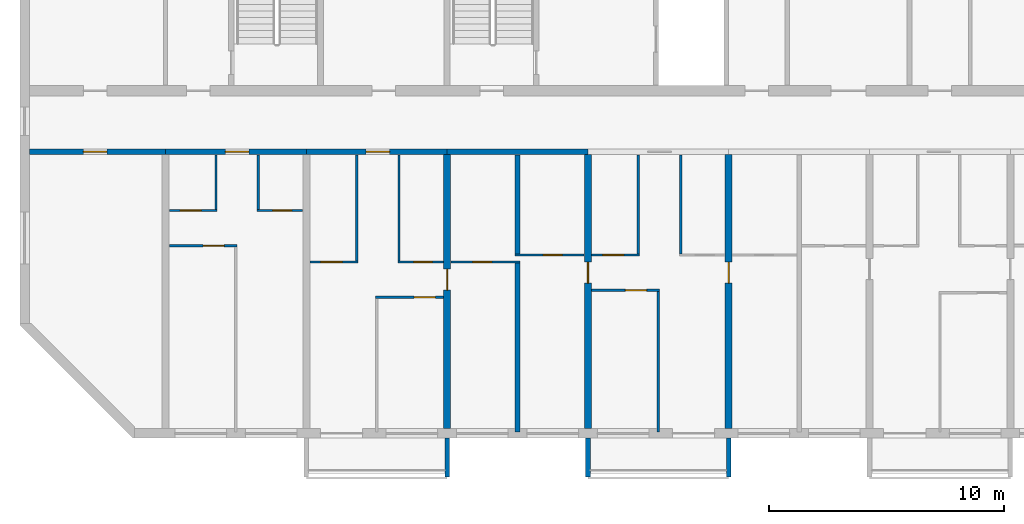
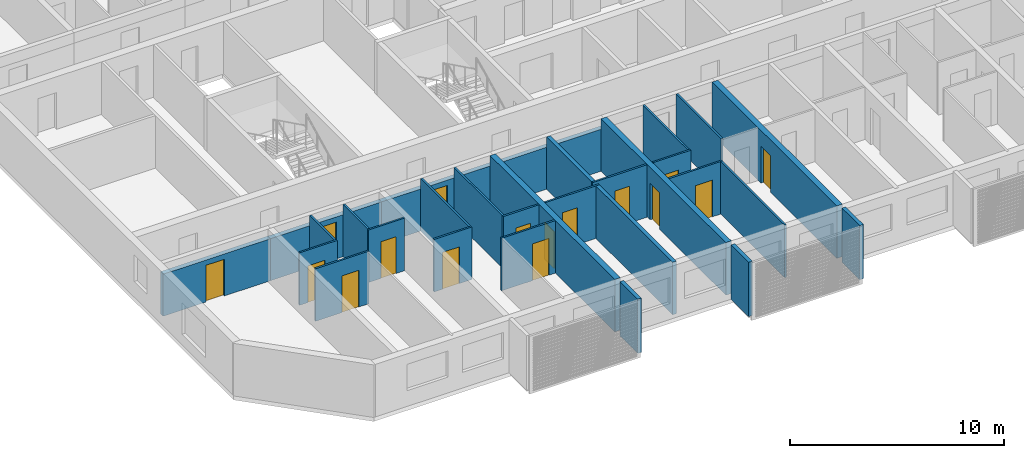
# One storey, part 2 of 32: 29 walls, 16 doors, 16 openings.
"""IFC4 building model written with IfcOpenShell, lengths in metres."""

from ifc_helpers import new_model, si_unit, direction, frame, frame_2d, origin, place, context, subcontext, project, spatial, polyline, rectangle, outline, extrude, source, transform, mapped, material, layer, layer_set, type_object, element, fill, save


model = new_model("IFC4")

# Units and contexts
model_context = context("Model", 3, precision=1e-05, world=origin(), true_north=direction((0.0, 1.0)))
body_context = subcontext(model_context, "Body", "Model", "MODEL_VIEW")
ifc_project = project(units=[si_unit("LENGTHUNIT", "METRE"), si_unit("AREAUNIT", "SQUARE_METRE"), si_unit("VOLUMEUNIT", "CUBIC_METRE"), si_unit("PLANEANGLEUNIT", "RADIAN"), si_unit("MASSUNIT", "GRAM", prefix="KILO")], contexts=[model_context])

# Site, building, storey
site_placement = place(None, origin())
site = spatial("IfcSite", under=ifc_project, at=site_placement, CompositionType="ELEMENT")
building_placement = place(site_placement, origin())
building = spatial("IfcBuilding", under=site, at=building_placement, Name="Poui Terraces", CompositionType="ELEMENT")
storey_placement = place(building_placement, frame((0.0, 0.0, 155.39990234375)))
storey = spatial("IfcBuildingStorey", under=building, at=storey_placement, Name="L43", CompositionType="ELEMENT", Elevation=155.39990234375)

# Wall, opening, door
ifc_material_1 = material(Name="Concrete 65 MPa", Category="concrete")
ifc_layer_1 = layer(ifc_material_1, 0.25)
ifc_layer_set_1 = layer_set([ifc_layer_1], Name="Concrete 65 MPa")
wall_type_1 = type_object("IfcWallType", Name="CORRIDOR WALL 250 65MPa", PredefinedType="SHEAR", material=ifc_layer_set_1)
wall_1_placement = place(storey_placement, frame((12.199951171875, 12.0, 0.0), z_axis=(0.0, 0.0, 1.0), x_axis=(1.0, 0.0, 0.0)))
wall_1 = element("IfcWall", 1, at=wall_1_placement, inside=storey, type_object=wall_type_1, Name="CORRIDOR WALL LINE B BAY 1", PredefinedType="SHEAR", context=body_context, shape_type="SweptSolid", body=[
    extrude(rectangle(XDim=5.800048828125, YDim=0.25, at=frame_2d((2.89990234375, 0.0))), origin(), (0.0, 0.0, 1.0), 2.400146484375),
])
opening_1_placement = place(wall_1_placement, frame((2.300048828125, 0.0, 0.0)))
opening_1 = element("IfcOpeningElement", 2, at=opening_1_placement, cuts=wall_1, Name="Opening D100", PredefinedType="OPENING", context=body_context, shape_type="SweptSolid", body=[
    extrude(rectangle(XDim=1.0, YDim=2.10009765625, at=frame_2d((0.5, 1.050048828125))), frame((0.0, 0.135009765625, 0.0), z_axis=(0.0, -1.0, 0.0), x_axis=(1.0, 0.0, 0.0)), (0.0, 0.0, 1.0), 0.27001953125),
])
ifc_material_2 = material(Name="Solid core timber door", Category="wood")
door_type_1 = type_object("IfcDoorType", Name="ACCESSIBLE INTERNAL DOOR 1000 X 2100", OperationType="NOTDEFINED", PredefinedType="DOOR", material=ifc_material_2)
door_1_placement = place(opening_1_placement, frame((1.0, 0.0, 0.0), z_axis=(0.0, 0.0, 1.0), x_axis=(-1.0, 0.0, 0.0)))
door_1 = element("IfcDoor", 3, at=door_1_placement, inside=storey, type_object=door_type_1, Name="ACCESSIBLE INTERNAL DOOR 074", OperationType="SINGLE_SWING_RIGHT", OverallHeight=2.10009765625, OverallWidth=1.0, PredefinedType="DOOR", context=body_context, shape_type="SweptSolid", body=[
    extrude(rectangle(XDim=1.0, YDim=2.10009765625, at=frame_2d((0.5, 1.050048828125))), frame((0.0, 0.02490234375, 0.0), z_axis=(0.0, -1.0, 0.0), x_axis=(1.0, 0.0, 0.0)), (0.0, 0.0, 1.0), 0.050048828125),
])
fill(opening_1, door_1)

wall_2_placement = place(storey_placement, frame((18.0, 12.0, 0.0), z_axis=(0.0, 0.0, 1.0), x_axis=(1.0, 0.0, 0.0)))
wall_2 = element("IfcWall", 4, at=wall_2_placement, inside=storey, type_object=wall_type_1, Name="CORRIDOR WALL LINE B BAY 2", PredefinedType="SHEAR", context=body_context, shape_type="SweptSolid", body=[
    extrude(rectangle(XDim=6.0, YDim=0.25, at=frame_2d((3.0, 0.0))), origin(), (0.0, 0.0, 1.0), 2.400146484375),
])
opening_2_placement = place(wall_2_placement, frame((2.550048828125, 0.0, 0.0)))
opening_2 = element("IfcOpeningElement", 5, at=opening_2_placement, cuts=wall_2, Name="Opening FD30S", PredefinedType="OPENING", context=body_context, shape_type="SweptSolid", body=[
    extrude(rectangle(XDim=1.0, YDim=2.10009765625, at=frame_2d((0.5, 1.050048828125))), frame((0.0, 0.135009765625, 0.0), z_axis=(0.0, -1.0, 0.0), x_axis=(1.0, 0.0, 0.0)), (0.0, 0.0, 1.0), 0.27001953125),
])
ifc_material_3 = material(Name="Steel fire door", Category="steel")
door_type_2 = type_object("IfcDoorType", Name="FLAT ENTRANCE DOOR 1000 X 2100", OperationType="NOTDEFINED", PredefinedType="DOOR", material=ifc_material_3)
door_2_placement = place(opening_2_placement, frame((1.0, 0.0, 0.0), z_axis=(0.0, 0.0, 1.0), x_axis=(-1.0, 0.0, 0.0)))
door_2 = element("IfcDoor", 6, at=door_2_placement, inside=storey, type_object=door_type_2, Name="FLAT ENTRANCE DOOR 077", OperationType="SINGLE_SWING_LEFT", OverallHeight=2.10009765625, OverallWidth=1.0, PredefinedType="DOOR", context=body_context, shape_type="SweptSolid", body=[
    extrude(rectangle(XDim=1.0, YDim=2.10009765625, at=frame_2d((0.5, 1.050048828125))), frame((0.0, 0.02490234375, 0.0), z_axis=(0.0, -1.0, 0.0), x_axis=(1.0, 0.0, 0.0)), (0.0, 0.0, 1.0), 0.050048828125),
])
fill(opening_2, door_2)

wall_3_placement = place(storey_placement, frame((24.0, 12.0, 0.0), z_axis=(0.0, 0.0, 1.0), x_axis=(1.0, 0.0, 0.0)))
wall_3 = element("IfcWall", 7, at=wall_3_placement, inside=storey, type_object=wall_type_1, Name="CORRIDOR WALL LINE B BAY 3", PredefinedType="SHEAR", context=body_context, shape_type="SweptSolid", body=[
    extrude(rectangle(XDim=6.0, YDim=0.25, at=frame_2d((3.0, 0.0))), origin(), (0.0, 0.0, 1.0), 2.400146484375),
])
opening_3_placement = place(wall_3_placement, frame((2.550048828125, 0.0, 0.0)))
opening_3 = element("IfcOpeningElement", 8, at=opening_3_placement, cuts=wall_3, Name="Opening FD30S", PredefinedType="OPENING", context=body_context, shape_type="SweptSolid", body=[
    extrude(rectangle(XDim=1.0, YDim=2.10009765625, at=frame_2d((0.5, 1.050048828125))), frame((0.0, 0.135009765625, 0.0), z_axis=(0.0, -1.0, 0.0), x_axis=(1.0, 0.0, 0.0)), (0.0, 0.0, 1.0), 0.27001953125),
])
door_3_placement = place(opening_3_placement, frame((1.0, 0.0, 0.0), z_axis=(0.0, 0.0, 1.0), x_axis=(-1.0, 0.0, 0.0)))
door_3 = element("IfcDoor", 9, at=door_3_placement, inside=storey, type_object=door_type_2, Name="FLAT ENTRANCE DOOR 081", OperationType="SINGLE_SWING_LEFT", OverallHeight=2.10009765625, OverallWidth=1.0, PredefinedType="DOOR", context=body_context, shape_type="SweptSolid", body=[
    extrude(rectangle(XDim=1.0, YDim=2.10009765625, at=frame_2d((0.5, 1.050048828125))), frame((0.0, 0.02490234375, 0.0), z_axis=(0.0, -1.0, 0.0), x_axis=(1.0, 0.0, 0.0)), (0.0, 0.0, 1.0), 0.050048828125),
])
fill(opening_3, door_3)

# Wall
wall_4_placement = place(storey_placement, frame((30.0, 12.0, 0.0), z_axis=(0.0, 0.0, 1.0), x_axis=(1.0, 0.0, 0.0)))
element("IfcWall", 10, at=wall_4_placement, inside=storey, type_object=wall_type_1, Name="CORRIDOR WALL LINE B BAY 4", PredefinedType="SHEAR", context=body_context, shape_type="SweptSolid", body=[
    extrude(rectangle(XDim=6.0, YDim=0.25, at=frame_2d((3.0, 0.0))), origin(), (0.0, 0.0, 1.0), 2.400146484375),
])

# Wall, opening, door
ifc_layer_2 = layer(ifc_material_1, 0.300048828125)
ifc_layer_set_2 = layer_set([ifc_layer_2], Name="Concrete 65 MPa")
wall_type_2 = type_object("IfcWallType", Name="CROSS WALL 300 65MPa", PredefinedType="SHEAR", material=ifc_layer_set_2)
wall_5_placement = place(storey_placement, frame((30.0, 0.199951171875, 0.0), z_axis=(0.0, 0.0, 1.0), x_axis=(0.0, 1.0, 0.0)))
wall_5 = element("IfcWall", 11, at=wall_5_placement, inside=storey, type_object=wall_type_2, Name="CROSS WALL LINE 6 SOUTH", PredefinedType="SHEAR", context=body_context, shape_type="SweptSolid", body=[
    extrude(rectangle(XDim=11.675048828125, YDim=0.300048828125, at=frame_2d((5.83740234375, 0.0))), origin(), (0.0, 0.0, 1.0), 3.0),
])
opening_4_placement = place(wall_5_placement, frame((5.89990234375, 0.0, 0.0)))
opening_4 = element("IfcOpeningElement", 12, at=opening_4_placement, cuts=wall_5, Name="Opening D90", PredefinedType="OPENING", context=body_context, shape_type="SweptSolid", body=[
    extrude(rectangle(XDim=0.89990234375, YDim=2.10009765625, at=frame_2d((0.449951171875, 1.050048828125))), frame((0.0, 0.16015625, 0.0), z_axis=(0.0, -1.0, 0.0), x_axis=(1.0, 0.0, 0.0)), (0.0, 0.0, 1.0), 0.320068359375),
])
door_type_3 = type_object("IfcDoorType", Name="INTERNAL DOOR 900 X 2100", OperationType="NOTDEFINED", PredefinedType="DOOR", material=ifc_material_2)
door_4_placement = place(opening_4_placement, frame((0.89990234375, 0.0, 0.0), z_axis=(0.0, 0.0, 1.0), x_axis=(-1.0, 0.0, 0.0)))
door_4 = element("IfcDoor", 13, at=door_4_placement, inside=storey, type_object=door_type_3, Name="INTERNAL DOOR 084", OperationType="SINGLE_SWING_LEFT", OverallHeight=2.10009765625, OverallWidth=0.89990234375, PredefinedType="DOOR", context=body_context, shape_type="SweptSolid", body=[
    extrude(rectangle(XDim=0.89990234375, YDim=2.10009765625, at=frame_2d((0.449951171875, 1.050048828125))), frame((0.0, 0.02490234375, 0.0), z_axis=(0.0, -1.0, 0.0), x_axis=(1.0, 0.0, 0.0)), (0.0, 0.0, 1.0), 0.050048828125),
])
fill(opening_4, door_4)

wall_6_placement = place(storey_placement, frame((36.0, 0.199951171875, 0.0), z_axis=(0.0, 0.0, 1.0), x_axis=(0.0, 1.0, 0.0)))
wall_6 = element("IfcWall", 14, at=wall_6_placement, inside=storey, type_object=wall_type_2, Name="CROSS WALL LINE 7 SOUTH", PredefinedType="SHEAR", context=body_context, shape_type="SweptSolid", body=[
    extrude(rectangle(XDim=11.675048828125, YDim=0.300048828125, at=frame_2d((5.83740234375, 0.0))), origin(), (0.0, 0.0, 1.0), 3.0),
])
opening_5_placement = place(wall_6_placement, frame((6.199951171875, 0.0, 0.0)))
opening_5 = element("IfcOpeningElement", 15, at=opening_5_placement, cuts=wall_6, Name="Opening D90", PredefinedType="OPENING", context=body_context, shape_type="SweptSolid", body=[
    extrude(rectangle(XDim=0.89990234375, YDim=2.10009765625, at=frame_2d((0.449951171875, 1.050048828125))), frame((0.0, 0.16015625, 0.0), z_axis=(0.0, -1.0, 0.0), x_axis=(1.0, 0.0, 0.0)), (0.0, 0.0, 1.0), 0.320068359375),
])
door_5_placement = place(opening_5_placement, origin())
door_5 = element("IfcDoor", 16, at=door_5_placement, inside=storey, type_object=door_type_3, Name="INTERNAL DOOR 087", OperationType="SINGLE_SWING_RIGHT", OverallHeight=2.10009765625, OverallWidth=0.89990234375, PredefinedType="DOOR", context=body_context, shape_type="SweptSolid", body=[
    extrude(rectangle(XDim=0.89990234375, YDim=2.10009765625, at=frame_2d((0.449951171875, 1.050048828125))), frame((0.0, 0.02490234375, 0.0), z_axis=(0.0, -1.0, 0.0), x_axis=(1.0, 0.0, 0.0)), (0.0, 0.0, 1.0), 0.050048828125),
])
fill(opening_5, door_5)

wall_7_placement = place(storey_placement, frame((42.0, 0.199951171875, 0.0), z_axis=(0.0, 0.0, 1.0), x_axis=(0.0, 1.0, 0.0)))
wall_7 = element("IfcWall", 17, at=wall_7_placement, inside=storey, type_object=wall_type_2, Name="CROSS WALL LINE 8 SOUTH", PredefinedType="SHEAR", context=body_context, shape_type="SweptSolid", body=[
    extrude(rectangle(XDim=11.675048828125, YDim=0.300048828125, at=frame_2d((5.83740234375, 0.0))), origin(), (0.0, 0.0, 1.0), 3.0),
])
opening_6_placement = place(wall_7_placement, frame((6.199951171875, 0.0, 0.0)))
opening_6 = element("IfcOpeningElement", 18, at=opening_6_placement, cuts=wall_7, Name="Opening D90", PredefinedType="OPENING", context=body_context, shape_type="SweptSolid", body=[
    extrude(rectangle(XDim=0.89990234375, YDim=2.10009765625, at=frame_2d((0.449951171875, 1.050048828125))), frame((0.0, 0.16015625, 0.0), z_axis=(0.0, -1.0, 0.0), x_axis=(1.0, 0.0, 0.0)), (0.0, 0.0, 1.0), 0.320068359375),
])
door_6_placement = place(opening_6_placement, frame((0.89990234375, 0.0, 0.0), z_axis=(0.0, 0.0, 1.0), x_axis=(-1.0, 0.0, 0.0)))
door_6 = element("IfcDoor", 19, at=door_6_placement, inside=storey, type_object=door_type_3, Name="INTERNAL DOOR 092", OperationType="SINGLE_SWING_LEFT", OverallHeight=2.10009765625, OverallWidth=0.89990234375, PredefinedType="DOOR", context=body_context, shape_type="SweptSolid", body=[
    extrude(rectangle(XDim=0.89990234375, YDim=2.10009765625, at=frame_2d((0.449951171875, 1.050048828125))), frame((0.0, 0.02490234375, 0.0), z_axis=(0.0, -1.0, 0.0), x_axis=(1.0, 0.0, 0.0)), (0.0, 0.0, 1.0), 0.050048828125),
])
fill(opening_6, door_6)

ifc_material_4 = material(Name="Plasterboard partition")
ifc_layer_3 = layer(ifc_material_4, 0.10009765625)
ifc_layer_set_3 = layer_set([ifc_layer_3], Name="Plasterboard partition")
wall_type_3 = type_object("IfcWallType", Name="FLAT PARTITION 100", PredefinedType="PARTITIONING", material=ifc_layer_set_3)
wall_8_placement = place(storey_placement, frame((26.949951171875, 5.800048828125, 0.0), z_axis=(0.0, 0.0, 1.0), x_axis=(1.0, 0.0, 0.0)))
wall_8 = element("IfcWall", 20, at=wall_8_placement, inside=storey, type_object=wall_type_3, Name="FLAT PARTITION 100", PredefinedType="PARTITIONING", context=body_context, shape_type="SweptSolid", body=[
    extrude(rectangle(XDim=2.89013671875, YDim=0.10009765625, at=frame_2d((1.445068359375, 0.0))), origin(), (0.0, 0.0, 1.0), 3.0),
])
opening_7_placement = place(wall_8_placement, frame((1.64990234375, 0.0, 0.0)))
opening_7 = element("IfcOpeningElement", 21, at=opening_7_placement, cuts=wall_8, Name="Opening D90", PredefinedType="OPENING", context=body_context, shape_type="SweptSolid", body=[
    extrude(rectangle(XDim=0.89990234375, YDim=2.10009765625, at=frame_2d((0.449951171875, 1.050048828125))), frame((0.0, 0.06005859375, 0.0), z_axis=(0.0, -1.0, 0.0), x_axis=(1.0, 0.0, 0.0)), (0.0, 0.0, 1.0), 0.1201171875),
])
door_7_placement = place(opening_7_placement, origin())
door_7 = element("IfcDoor", 22, at=door_7_placement, inside=storey, type_object=door_type_3, Name="INTERNAL DOOR 083", OperationType="SINGLE_SWING_LEFT", OverallHeight=2.10009765625, OverallWidth=0.89990234375, PredefinedType="DOOR", context=body_context, shape_type="SweptSolid", body=[
    extrude(rectangle(XDim=0.89990234375, YDim=2.10009765625, at=frame_2d((0.449951171875, 1.050048828125))), frame((0.0, 0.02490234375, 0.0), z_axis=(0.0, -1.0, 0.0), x_axis=(1.0, 0.0, 0.0)), (0.0, 0.0, 1.0), 0.050048828125),
])
fill(opening_7, door_7)

wall_9_placement = place(storey_placement, frame((36.159912109375, 6.10009765625, 0.0), z_axis=(0.0, 0.0, 1.0), x_axis=(1.0, 0.0, 0.0)))
wall_9 = element("IfcWall", 23, at=wall_9_placement, inside=storey, type_object=wall_type_3, Name="FLAT PARTITION 100", PredefinedType="PARTITIONING", context=body_context, shape_type="SweptSolid", body=[
    extrude(rectangle(XDim=2.89013671875, YDim=0.10009765625, at=frame_2d((1.445068359375, 0.0))), origin(), (0.0, 0.0, 1.0), 3.0),
])
opening_8_placement = place(wall_9_placement, frame((1.43994140625, 0.0, 0.0)))
opening_8 = element("IfcOpeningElement", 24, at=opening_8_placement, cuts=wall_9, Name="Opening D90", PredefinedType="OPENING", context=body_context, shape_type="SweptSolid", body=[
    extrude(rectangle(XDim=0.89990234375, YDim=2.10009765625, at=frame_2d((0.449951171875, 1.050048828125))), frame((0.0, 0.06005859375, 0.0), z_axis=(0.0, -1.0, 0.0), x_axis=(1.0, 0.0, 0.0)), (0.0, 0.0, 1.0), 0.1201171875),
])
door_8_placement = place(opening_8_placement, origin())
door_8 = element("IfcDoor", 25, at=door_8_placement, inside=storey, type_object=door_type_3, Name="INTERNAL DOOR 089", OperationType="SINGLE_SWING_LEFT", OverallHeight=2.10009765625, OverallWidth=0.89990234375, PredefinedType="DOOR", context=body_context, shape_type="SweptSolid", body=[
    extrude(rectangle(XDim=0.89990234375, YDim=2.10009765625, at=frame_2d((0.449951171875, 1.050048828125))), frame((0.0, 0.02490234375, 0.0), z_axis=(0.0, -1.0, 0.0), x_axis=(1.0, 0.0, 0.0)), (0.0, 0.0, 1.0), 0.050048828125),
])
fill(opening_8, door_8)

wall_10_placement = place(storey_placement, frame((24.159912109375, 7.300048828125, 0.0), z_axis=(0.0, 0.0, 1.0), x_axis=(1.0, 0.0, 0.0)))
wall_10 = element("IfcWall", 26, at=wall_10_placement, inside=storey, type_object=wall_type_3, Name="FLAT PARTITION 100", PredefinedType="PARTITIONING", context=body_context, shape_type="SweptSolid", body=[
    extrude(rectangle(XDim=2.0400390625, YDim=0.10009765625, at=frame_2d((1.02001953125, 0.0))), origin(), (0.0, 0.0, 1.0), 3.0),
])
opening_9_placement = place(wall_10_placement, frame((0.465087890625, 0.0, 0.0)))
opening_9 = element("IfcOpeningElement", 27, at=opening_9_placement, cuts=wall_10, Name="Opening D90", PredefinedType="OPENING", context=body_context, shape_type="SweptSolid", body=[
    extrude(rectangle(XDim=0.89990234375, YDim=2.10009765625, at=frame_2d((0.449951171875, 1.050048828125))), frame((0.0, 0.06005859375, 0.0), z_axis=(0.0, -1.0, 0.0), x_axis=(1.0, 0.0, 0.0)), (0.0, 0.0, 1.0), 0.1201171875),
])
door_9_placement = place(opening_9_placement, origin())
door_9 = element("IfcDoor", 28, at=door_9_placement, inside=storey, type_object=door_type_3, Name="INTERNAL DOOR 080", OperationType="SINGLE_SWING_LEFT", OverallHeight=2.10009765625, OverallWidth=0.89990234375, PredefinedType="DOOR", context=body_context, shape_type="SweptSolid", body=[
    extrude(rectangle(XDim=0.89990234375, YDim=2.10009765625, at=frame_2d((0.449951171875, 1.050048828125))), frame((0.0, 0.02490234375, 0.0), z_axis=(0.0, -1.0, 0.0), x_axis=(1.0, 0.0, 0.0)), (0.0, 0.0, 1.0), 0.050048828125),
])
fill(opening_9, door_9)

wall_11_placement = place(storey_placement, frame((27.89990234375, 7.300048828125, 0.0), z_axis=(0.0, 0.0, 1.0), x_axis=(1.0, 0.0, 0.0)))
wall_11 = element("IfcWall", 29, at=wall_11_placement, inside=storey, type_object=wall_type_3, Name="FLAT PARTITION 100", PredefinedType="PARTITIONING", context=body_context, shape_type="SweptSolid", body=[
    extrude(rectangle(XDim=1.940185546875, YDim=0.10009765625, at=frame_2d((0.97021484375, 0.0))), origin(), (0.0, 0.0, 1.0), 3.0),
])
opening_10_placement = place(wall_11_placement, frame((0.675048828125, 0.0, 0.0)))
opening_10 = element("IfcOpeningElement", 30, at=opening_10_placement, cuts=wall_11, Name="Opening D80", PredefinedType="OPENING", context=body_context, shape_type="SweptSolid", body=[
    extrude(rectangle(XDim=0.800048828125, YDim=2.10009765625, at=frame_2d((0.39990234375, 1.050048828125))), frame((0.0, 0.06005859375, 0.0), z_axis=(0.0, -1.0, 0.0), x_axis=(1.0, 0.0, 0.0)), (0.0, 0.0, 1.0), 0.1201171875),
])
door_type_4 = type_object("IfcDoorType", Name="BATHROOM, LAUNDRY AND STORE DOOR 800 X 2100", OperationType="NOTDEFINED", PredefinedType="DOOR", material=ifc_material_2)
door_10_placement = place(opening_10_placement, origin())
door_10 = element("IfcDoor", 31, at=door_10_placement, inside=storey, type_object=door_type_4, Name="BATHROOM, LAUNDRY AND STORE DOOR 082", OperationType="SINGLE_SWING_RIGHT", OverallHeight=2.10009765625, OverallWidth=0.800048828125, PredefinedType="DOOR", context=body_context, shape_type="SweptSolid", body=[
    extrude(rectangle(XDim=0.800048828125, YDim=2.10009765625, at=frame_2d((0.39990234375, 1.050048828125))), frame((0.0, 0.02490234375, 0.0), z_axis=(0.0, -1.0, 0.0), x_axis=(1.0, 0.0, 0.0)), (0.0, 0.0, 1.0), 0.050048828125),
])
fill(opening_10, door_10)

wall_12_placement = place(storey_placement, frame((30.159912109375, 7.300048828125, 0.0), z_axis=(0.0, 0.0, 1.0), x_axis=(1.0, 0.0, 0.0)))
wall_12 = element("IfcWall", 32, at=wall_12_placement, inside=storey, type_object=wall_type_3, Name="FLAT PARTITION 100", PredefinedType="PARTITIONING", context=body_context, shape_type="SweptSolid", body=[
    extrude(rectangle(XDim=2.940185546875, YDim=0.10009765625, at=frame_2d((1.47021484375, 0.0))), origin(), (0.0, 0.0, 1.0), 3.0),
])
opening_11_placement = place(wall_12_placement, frame((0.93994140625, 0.0, 0.0)))
opening_11 = element("IfcOpeningElement", 33, at=opening_11_placement, cuts=wall_12, Name="Opening D80", PredefinedType="OPENING", context=body_context, shape_type="SweptSolid", body=[
    extrude(rectangle(XDim=0.800048828125, YDim=2.10009765625, at=frame_2d((0.39990234375, 1.050048828125))), frame((0.0, 0.06005859375, 0.0), z_axis=(0.0, -1.0, 0.0), x_axis=(1.0, 0.0, 0.0)), (0.0, 0.0, 1.0), 0.1201171875),
])
door_11_placement = place(opening_11_placement, origin())
door_11 = element("IfcDoor", 34, at=door_11_placement, inside=storey, type_object=door_type_4, Name="BATHROOM, LAUNDRY AND STORE DOOR 079", OperationType="SINGLE_SWING_LEFT", OverallHeight=2.10009765625, OverallWidth=0.800048828125, PredefinedType="DOOR", context=body_context, shape_type="SweptSolid", body=[
    extrude(rectangle(XDim=0.800048828125, YDim=2.10009765625, at=frame_2d((0.39990234375, 1.050048828125))), frame((0.0, 0.02490234375, 0.0), z_axis=(0.0, -1.0, 0.0), x_axis=(1.0, 0.0, 0.0)), (0.0, 0.0, 1.0), 0.050048828125),
])
fill(opening_11, door_11)

wall_13_placement = place(storey_placement, frame((32.89990234375, 7.60009765625, 0.0), z_axis=(0.0, 0.0, 1.0), x_axis=(1.0, 0.0, 0.0)))
wall_13 = element("IfcWall", 35, at=wall_13_placement, inside=storey, type_object=wall_type_3, Name="FLAT PARTITION 100", PredefinedType="PARTITIONING", context=body_context, shape_type="SweptSolid", body=[
    extrude(rectangle(XDim=2.940185546875, YDim=0.10009765625, at=frame_2d((1.47021484375, 0.0))), origin(), (0.0, 0.0, 1.0), 3.0),
])
opening_12_placement = place(wall_13_placement, frame((1.199951171875, 0.0, 0.0)))
opening_12 = element("IfcOpeningElement", 36, at=opening_12_placement, cuts=wall_13, Name="Opening D80", PredefinedType="OPENING", context=body_context, shape_type="SweptSolid", body=[
    extrude(rectangle(XDim=0.800048828125, YDim=2.10009765625, at=frame_2d((0.39990234375, 1.050048828125))), frame((0.0, 0.06005859375, 0.0), z_axis=(0.0, -1.0, 0.0), x_axis=(1.0, 0.0, 0.0)), (0.0, 0.0, 1.0), 0.1201171875),
])
door_12_placement = place(opening_12_placement, origin())
door_12 = element("IfcDoor", 37, at=door_12_placement, inside=storey, type_object=door_type_4, Name="BATHROOM, LAUNDRY AND STORE DOOR 085", OperationType="SINGLE_SWING_RIGHT", OverallHeight=2.10009765625, OverallWidth=0.800048828125, PredefinedType="DOOR", context=body_context, shape_type="SweptSolid", body=[
    extrude(rectangle(XDim=0.800048828125, YDim=2.10009765625, at=frame_2d((0.39990234375, 1.050048828125))), frame((0.0, 0.02490234375, 0.0), z_axis=(0.0, -1.0, 0.0), x_axis=(1.0, 0.0, 0.0)), (0.0, 0.0, 1.0), 0.050048828125),
])
fill(opening_12, door_12)

wall_14_placement = place(storey_placement, frame((36.159912109375, 7.60009765625, 0.0), z_axis=(0.0, 0.0, 1.0), x_axis=(1.0, 0.0, 0.0)))
wall_14 = element("IfcWall", 38, at=wall_14_placement, inside=storey, type_object=wall_type_3, Name="FLAT PARTITION 100", PredefinedType="PARTITIONING", context=body_context, shape_type="SweptSolid", body=[
    extrude(rectangle(XDim=2.0400390625, YDim=0.10009765625, at=frame_2d((1.02001953125, 0.0))), origin(), (0.0, 0.0, 1.0), 3.0),
])
opening_13_placement = place(wall_14_placement, frame((0.465087890625, 0.0, 0.0)))
opening_13 = element("IfcOpeningElement", 39, at=opening_13_placement, cuts=wall_14, Name="Opening D90", PredefinedType="OPENING", context=body_context, shape_type="SweptSolid", body=[
    extrude(rectangle(XDim=0.89990234375, YDim=2.10009765625, at=frame_2d((0.449951171875, 1.050048828125))), frame((0.0, 0.06005859375, 0.0), z_axis=(0.0, -1.0, 0.0), x_axis=(1.0, 0.0, 0.0)), (0.0, 0.0, 1.0), 0.1201171875),
])
door_13_placement = place(opening_13_placement, origin())
door_13 = element("IfcDoor", 40, at=door_13_placement, inside=storey, type_object=door_type_3, Name="INTERNAL DOOR 088", OperationType="SINGLE_SWING_RIGHT", OverallHeight=2.10009765625, OverallWidth=0.89990234375, PredefinedType="DOOR", context=body_context, shape_type="SweptSolid", body=[
    extrude(rectangle(XDim=0.89990234375, YDim=2.10009765625, at=frame_2d((0.449951171875, 1.050048828125))), frame((0.0, 0.02490234375, 0.0), z_axis=(0.0, -1.0, 0.0), x_axis=(1.0, 0.0, 0.0)), (0.0, 0.0, 1.0), 0.050048828125),
])
fill(opening_13, door_13)

wall_15_placement = place(storey_placement, frame((18.159912109375, 8.0, 0.0), z_axis=(0.0, 0.0, 1.0), x_axis=(1.0, 0.0, 0.0)))
wall_15 = element("IfcWall", 41, at=wall_15_placement, inside=storey, type_object=wall_type_3, Name="FLAT PARTITION 100", PredefinedType="PARTITIONING", context=body_context, shape_type="SweptSolid", body=[
    extrude(rectangle(XDim=2.89013671875, YDim=0.10009765625, at=frame_2d((1.445068359375, 0.0))), origin(), (0.0, 0.0, 1.0), 3.0),
])
opening_14_placement = place(wall_15_placement, frame((1.43994140625, 0.0, 0.0)))
opening_14 = element("IfcOpeningElement", 42, at=opening_14_placement, cuts=wall_15, Name="Opening D90", PredefinedType="OPENING", context=body_context, shape_type="SweptSolid", body=[
    extrude(rectangle(XDim=0.89990234375, YDim=2.10009765625, at=frame_2d((0.449951171875, 1.050048828125))), frame((0.0, 0.06005859375, 0.0), z_axis=(0.0, -1.0, 0.0), x_axis=(1.0, 0.0, 0.0)), (0.0, 0.0, 1.0), 0.1201171875),
])
door_14_placement = place(opening_14_placement, origin())
door_14 = element("IfcDoor", 43, at=door_14_placement, inside=storey, type_object=door_type_3, Name="INTERNAL DOOR 076", OperationType="SINGLE_SWING_LEFT", OverallHeight=2.10009765625, OverallWidth=0.89990234375, PredefinedType="DOOR", context=body_context, shape_type="SweptSolid", body=[
    extrude(rectangle(XDim=0.89990234375, YDim=2.10009765625, at=frame_2d((0.449951171875, 1.050048828125))), frame((0.0, 0.02490234375, 0.0), z_axis=(0.0, -1.0, 0.0), x_axis=(1.0, 0.0, 0.0)), (0.0, 0.0, 1.0), 0.050048828125),
])
fill(opening_14, door_14)

wall_16_placement = place(storey_placement, frame((18.159912109375, 9.5, 0.0), z_axis=(0.0, 0.0, 1.0), x_axis=(1.0, 0.0, 0.0)))
wall_16 = element("IfcWall", 44, at=wall_16_placement, inside=storey, type_object=wall_type_3, Name="FLAT PARTITION 100", PredefinedType="PARTITIONING", context=body_context, shape_type="SweptSolid", body=[
    extrude(rectangle(XDim=2.0400390625, YDim=0.10009765625, at=frame_2d((1.02001953125, 0.0))), origin(), (0.0, 0.0, 1.0), 3.0),
])
opening_15_placement = place(wall_16_placement, frame((0.465087890625, 0.0, 0.0)))
opening_15 = element("IfcOpeningElement", 45, at=opening_15_placement, cuts=wall_16, Name="Opening D90", PredefinedType="OPENING", context=body_context, shape_type="SweptSolid", body=[
    extrude(rectangle(XDim=0.89990234375, YDim=2.10009765625, at=frame_2d((0.449951171875, 1.050048828125))), frame((0.0, 0.06005859375, 0.0), z_axis=(0.0, -1.0, 0.0), x_axis=(1.0, 0.0, 0.0)), (0.0, 0.0, 1.0), 0.1201171875),
])
door_15_placement = place(opening_15_placement, origin())
door_15 = element("IfcDoor", 46, at=door_15_placement, inside=storey, type_object=door_type_3, Name="INTERNAL DOOR 075", OperationType="SINGLE_SWING_RIGHT", OverallHeight=2.10009765625, OverallWidth=0.89990234375, PredefinedType="DOOR", context=body_context, shape_type="SweptSolid", body=[
    extrude(rectangle(XDim=0.89990234375, YDim=2.10009765625, at=frame_2d((0.449951171875, 1.050048828125))), frame((0.0, 0.02490234375, 0.0), z_axis=(0.0, -1.0, 0.0), x_axis=(1.0, 0.0, 0.0)), (0.0, 0.0, 1.0), 0.050048828125),
])
fill(opening_15, door_15)

wall_17_placement = place(storey_placement, frame((21.89990234375, 9.5, 0.0), z_axis=(0.0, 0.0, 1.0), x_axis=(1.0, 0.0, 0.0)))
wall_17 = element("IfcWall", 47, at=wall_17_placement, inside=storey, type_object=wall_type_3, Name="FLAT PARTITION 100", PredefinedType="PARTITIONING", context=body_context, shape_type="SweptSolid", body=[
    extrude(rectangle(XDim=1.940185546875, YDim=0.10009765625, at=frame_2d((0.97021484375, 0.0))), origin(), (0.0, 0.0, 1.0), 3.0),
])
opening_16_placement = place(wall_17_placement, frame((0.675048828125, 0.0, 0.0)))
opening_16 = element("IfcOpeningElement", 48, at=opening_16_placement, cuts=wall_17, Name="Opening D80", PredefinedType="OPENING", context=body_context, shape_type="SweptSolid", body=[
    extrude(rectangle(XDim=0.800048828125, YDim=2.10009765625, at=frame_2d((0.39990234375, 1.050048828125))), frame((0.0, 0.06005859375, 0.0), z_axis=(0.0, -1.0, 0.0), x_axis=(1.0, 0.0, 0.0)), (0.0, 0.0, 1.0), 0.1201171875),
])
door_16_placement = place(opening_16_placement, origin())
door_16 = element("IfcDoor", 49, at=door_16_placement, inside=storey, type_object=door_type_4, Name="BATHROOM, LAUNDRY AND STORE DOOR 078", OperationType="SINGLE_SWING_LEFT", OverallHeight=2.10009765625, OverallWidth=0.800048828125, PredefinedType="DOOR", context=body_context, shape_type="SweptSolid", body=[
    extrude(rectangle(XDim=0.800048828125, YDim=2.10009765625, at=frame_2d((0.39990234375, 1.050048828125))), frame((0.0, 0.02490234375, 0.0), z_axis=(0.0, -1.0, 0.0), x_axis=(1.0, 0.0, 0.0)), (0.0, 0.0, 1.0), 0.050048828125),
])
fill(opening_16, door_16)

# Walls
for number, where, z_axis, x_axis, name in (
    (50, (20.14990234375, 9.550048828125, 0.0), (0.0, 0.0, 1.0), (0.0, 1.0, 0.0), "FLAT PARTITION 100"),
    (51, (21.949951171875, 9.550048828125, 0.0), (0.0, 0.0, 1.0), (0.0, 1.0, 0.0), "FLAT PARTITION 100"),
):
    element("IfcWall", number, at=place(storey_placement, frame(where, z_axis=z_axis, x_axis=x_axis)), inside=storey, type_object=wall_type_3, Name=name, PredefinedType="PARTITIONING", context=body_context, shape_type="SweptSolid", body=[
        extrude(rectangle(XDim=2.31494140625, YDim=0.10009765625, at=frame_2d((1.157470703125, 0.0))), origin(), (0.0, 0.0, 1.0), 3.0),
    ])
for number, where, z_axis, x_axis, name in (
    (52, (26.14990234375, 7.35009765625, 0.0), (0.0, 0.0, 1.0), (0.0, 1.0, 0.0), "FLAT PARTITION 100"),
    (53, (27.949951171875, 7.35009765625, 0.0), (0.0, 0.0, 1.0), (0.0, 1.0, 0.0), "FLAT PARTITION 100"),
):
    element("IfcWall", number, at=place(storey_placement, frame(where, z_axis=z_axis, x_axis=x_axis)), inside=storey, type_object=wall_type_3, Name=name, PredefinedType="PARTITIONING", context=body_context, shape_type="SweptSolid", body=[
        extrude(rectangle(XDim=4.514892578125, YDim=0.10009765625, at=frame_2d((2.25732421875, 0.0))), origin(), (0.0, 0.0, 1.0), 3.0),
    ])
wall_18_placement = place(storey_placement, frame((38.14990234375, 7.64990234375, 0.0), z_axis=(0.0, 0.0, 1.0), x_axis=(0.0, 1.0, 0.0)))
element("IfcWall", 54, at=wall_18_placement, inside=storey, type_object=wall_type_3, Name="FLAT PARTITION 100", PredefinedType="PARTITIONING", context=body_context, shape_type="SweptSolid", body=[
    extrude(rectangle(XDim=4.215087890625, YDim=0.10009765625, at=frame_2d((2.107421875, 0.0))), origin(), (0.0, 0.0, 1.0), 3.0),
])
wall_19_placement = place(storey_placement, frame((39.0, 0.06005859375, 0.0), z_axis=(0.0, 0.0, 1.0), x_axis=(0.0, 1.0, 0.0)))
element("IfcWall", 55, at=wall_19_placement, inside=storey, type_object=wall_type_3, Name="FLAT PARTITION 100", PredefinedType="PARTITIONING", context=body_context, shape_type="SweptSolid", body=[
    extrude(rectangle(XDim=5.989990234375, YDim=0.10009765625, at=frame_2d((2.9951171875, 0.0))), origin(), (0.0, 0.0, 1.0), 3.0),
])
wall_20_placement = place(storey_placement, frame((39.949951171875, 7.64990234375, 0.0), z_axis=(0.0, 0.0, 1.0), x_axis=(0.0, 1.0, 0.0)))
element("IfcWall", 56, at=wall_20_placement, inside=storey, type_object=wall_type_3, Name="FLAT PARTITION 100", PredefinedType="PARTITIONING", context=body_context, shape_type="SweptSolid", body=[
    extrude(rectangle(XDim=4.215087890625, YDim=0.10009765625, at=frame_2d((2.107421875, 0.0))), origin(), (0.0, 0.0, 1.0), 3.0),
])
ifc_material_5 = material(Name="Fire-rated masonry wall", Category="masonry")
ifc_layer_4 = layer(ifc_material_5, 0.199951171875)
ifc_layer_set_4 = layer_set([ifc_layer_4], Name="Fire-rated masonry wall")
wall_type_4 = type_object("IfcWallType", Name="FLAT PARTY WALL 200", PredefinedType="PARTITIONING", material=ifc_layer_set_4)
wall_21_placement = place(storey_placement, frame((33.0, 0.06005859375, 0.0), z_axis=(0.0, 0.0, 1.0), x_axis=(0.0, 1.0, 0.0)))
element("IfcWall", 57, at=wall_21_placement, inside=storey, type_object=wall_type_4, Name="FLAT PARTY WALL 200", PredefinedType="PARTITIONING", context=body_context, shape_type="SweptSolid", body=[
    extrude(rectangle(XDim=7.18994140625, YDim=0.199951171875, at=frame_2d((3.594970703125, 0.0))), origin(), (0.0, 0.0, 1.0), 3.0),
])
wall_22_placement = place(storey_placement, frame((33.0, 7.64990234375, 0.0), z_axis=(0.0, 0.0, 1.0), x_axis=(0.0, 1.0, 0.0)))
element("IfcWall", 58, at=wall_22_placement, inside=storey, type_object=wall_type_4, Name="FLAT PARTY WALL 200", PredefinedType="PARTITIONING", context=body_context, shape_type="SweptSolid", body=[
    extrude(rectangle(XDim=4.215087890625, YDim=0.199951171875, at=frame_2d((2.107421875, 0.0))), origin(), (0.0, 0.0, 1.0), 3.0),
])
ifc_material_6 = material(Name="Precast concrete 40 MPa", Category="concrete")
ifc_layer_5 = layer(ifc_material_6, 0.199951171875)
ifc_layer_set_5 = layer_set([ifc_layer_5], Name="Precast concrete 40 MPa")
wall_type_5 = type_object("IfcWallType", Name="REAR FIN 200", PredefinedType="STANDARD", material=ifc_layer_set_5)
shared_shape = source(origin(), body_context, "Body", "SweptSolid", [
    extrude(outline(polyline([(0.0, 0.0), (0.2001953125, 0.0), (0.2001953125, 1.650146484375), (0.0, 1.650146484375), (0.0, 0.0)])), origin(), (0.0, 0.0, 1.0), 3.10009765625),
])
for number, where, name in (
    (59, (29.89990234375, -1.85009765625, 0.0), "REAR FIN"),
    (60, (35.89990234375, -1.85009765625, 0.0), "REAR FIN"),
    (61, (41.89990234375, -1.85009765625, 0.0), "REAR FIN"),
):
    element("IfcWall", number, at=place(storey_placement, frame(where)), inside=storey, type_object=wall_type_5, Name=name, PredefinedType="STANDARD", context=body_context, shape_type="MappedRepresentation", body=[
        mapped(shared_shape, transform((0.0, 0.0, 0.0))),
    ])

save(model, "model.ifc")
